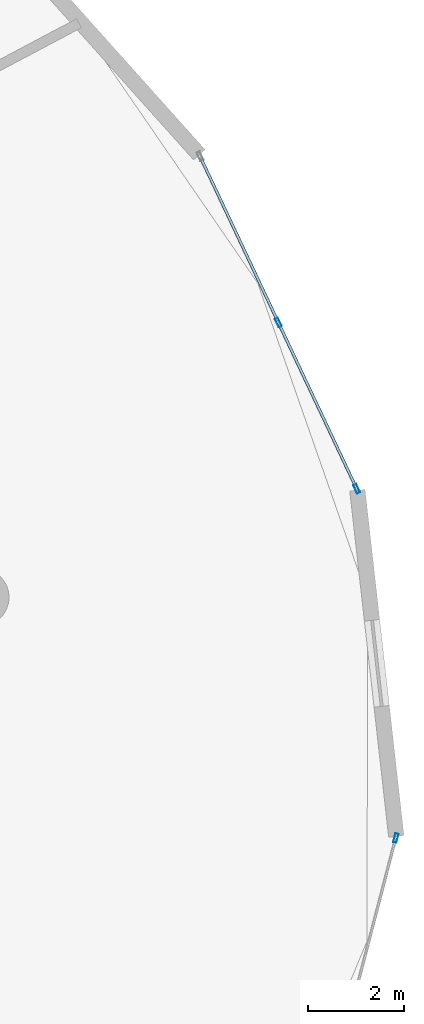
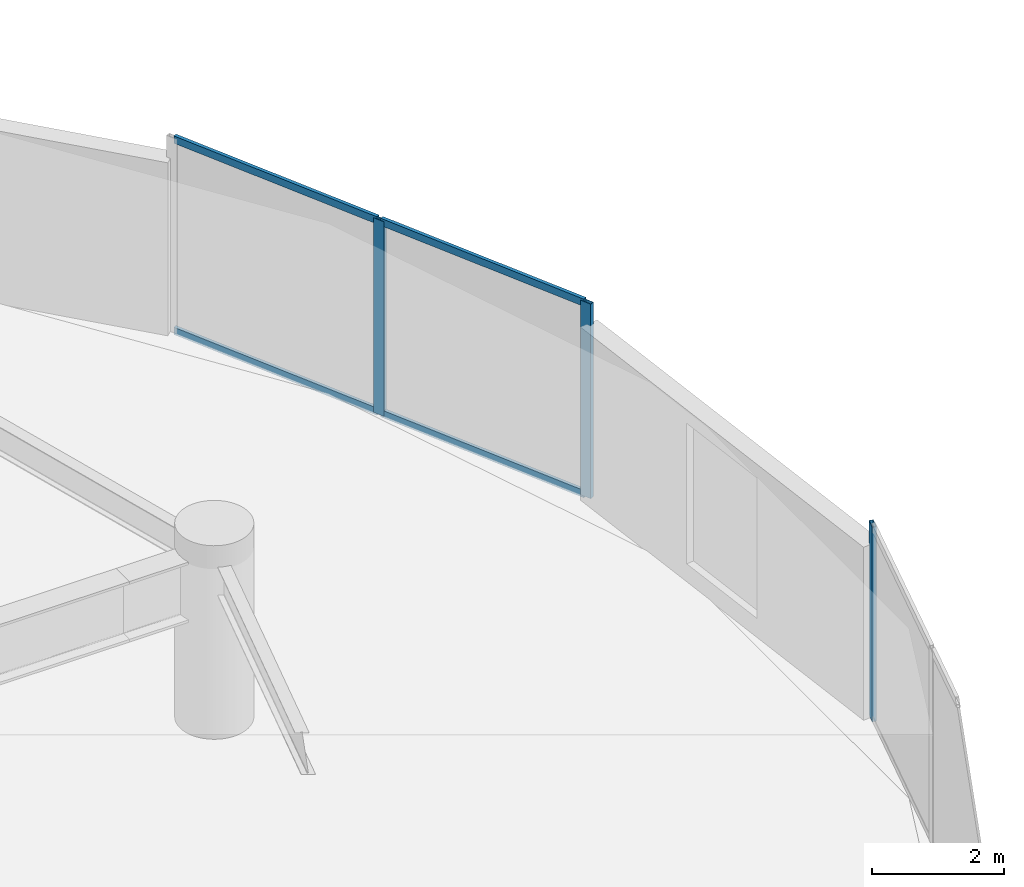
# One storey, part 11 of 24: 7 members, 2 elements without a shape of their own.
"""IFC4 building model written with IfcOpenShell, lengths in metres."""

from ifc_helpers import new_model, si_unit, direction, frame, origin, origin_2d, place, context, subcontext, project, spatial, hollow_rectangle, extrude, source, transform, mapped, material, layer, layer_set, material_profile, profile_set, type_object, element, aggregate, save


model = new_model("IFC4")

# Units and contexts
model_context = context("Model", 3, precision=1e-05, world=origin(), true_north=direction((0.0, 1.0)))
body_context = subcontext(model_context, "Body", "Model", "MODEL_VIEW")
ifc_project = project(units=[si_unit("LENGTHUNIT", "METRE"), si_unit("AREAUNIT", "SQUARE_METRE"), si_unit("VOLUMEUNIT", "CUBIC_METRE"), si_unit("PLANEANGLEUNIT", "RADIAN"), si_unit("MASSUNIT", "GRAM", prefix="KILO")], contexts=[model_context])

# Site, building, storey
site_placement = place(None, origin())
site = spatial("IfcSite", under=ifc_project, at=site_placement, CompositionType="ELEMENT")
building_placement = place(site_placement, origin())
building = spatial("IfcBuilding", under=site, at=building_placement, Name="Solvirekh Grand Hotel", CompositionType="ELEMENT")
storey_placement = place(building_placement, frame((0.0, 0.0, 89.60009765625)))
storey = spatial("IfcBuildingStorey", under=building, at=storey_placement, Name="L22", CompositionType="ELEMENT", Elevation=89.60009765625)

# Curtain wall, members
ifc_material = material(Name="Anodized Bronze Aluminium 6063-T6", Category="aluminium")
ifc_layer = layer(ifc_material, 0.18994140625)
ifc_layer_set = layer_set([ifc_layer], Name="Anodized Bronze Aluminium 6063-T6")
curtain_wall_type = type_object("IfcCurtainWallType", Name="CW_Sys2_LowZoneFlushBronzeCW", PredefinedType="NOTDEFINED", material=ifc_layer_set)
curtain_wall_1_placement = place(storey_placement, origin())
curtain_wall_1 = element("IfcCurtainWall", 1, at=curtain_wall_1_placement, inside=storey, type_object=curtain_wall_type, Name="L22 unitised bronze-glass curtain wall CW-L22-C03", PredefinedType="NOTDEFINED")
ifc_material_profile_1 = material_profile(ifc_material, hollow_rectangle(XDim=0.06005859375, YDim=0.135009765625, WallThickness=0.00390625, at=origin_2d()), Name="ALU RHS 135X60X4")
ifc_profile_set_1 = profile_set([ifc_material_profile_1], Name="Anodized Bronze Aluminium 6063-T6")
member_type_1 = type_object("IfcMemberType", Name="CWTransom_Sys2", PredefinedType="USERDEFINED", material=ifc_profile_set_1)
shared_shape_1 = source(origin(), body_context, "Body", "SweptSolid", [
    extrude(hollow_rectangle(XDim=0.06005859375, YDim=0.135009765625, WallThickness=0.00390625, at=origin_2d()), origin(), (0.0, 0.0, 1.0), 3.747314453125),
])
member_1_placement = place(storey_placement, frame((26.4072265625, 2.287353515625, 0.02978515625), z_axis=(-0.426270739463, 0.904595631582, 0.0), x_axis=(-0.904595631582, -0.426270739463, 0.0)))
member_1 = element("IfcMember", 2, at=member_1_placement, type_object=member_type_1, Name="U02 transom 1.1", ObjectType="TRANSOM", PredefinedType="USERDEFINED", context=body_context, shape_type="MappedRepresentation", body=[
    mapped(shared_shape_1, transform((0.0, 0.0, 0.0), x_axis=(1.0, 0.0, 0.0), y_axis=(0.0, 1.0, 0.0), z_axis=(0.0, 0.0, 1.0), scale=1.0)),
])
member_2_placement = place(storey_placement, frame((26.4072265625, 2.287353515625, 3.56982421875), z_axis=(-0.426270739463, 0.904595631582, 0.0), x_axis=(-0.904595631582, -0.426270739463, 0.0)))
member_2 = element("IfcMember", 3, at=member_2_placement, type_object=member_type_1, Name="U02 transom 1.2", ObjectType="TRANSOM", PredefinedType="USERDEFINED", context=body_context, shape_type="MappedRepresentation", body=[
    mapped(shared_shape_1, transform((0.0, 0.0, 0.0), x_axis=(1.0, 0.0, 0.0), y_axis=(0.0, 1.0, 0.0), z_axis=(0.0, 0.0, 1.0), scale=1.0)),
])
member_3_placement = place(storey_placement, frame((24.780029296875, 5.74072265625, 0.02978515625), z_axis=(-0.426217426151, 0.904620752385, 0.0), x_axis=(-0.904620752385, -0.426217426151, 0.0)))
member_3 = element("IfcMember", 4, at=member_3_placement, type_object=member_type_1, Name="U02 transom 2.1", ObjectType="TRANSOM", PredefinedType="USERDEFINED", context=body_context, shape_type="MappedRepresentation", body=[
    mapped(shared_shape_1, transform((0.0, 0.0, 0.0), x_axis=(1.0, 0.0, 0.0), y_axis=(0.0, 1.0, 0.0), z_axis=(0.0, 0.0, 1.0), scale=1.0)),
])
member_4_placement = place(storey_placement, frame((24.780029296875, 5.74072265625, 3.56982421875), z_axis=(-0.426217426151, 0.904620752385, 0.0), x_axis=(-0.904620752385, -0.426217426151, 0.0)))
member_4 = element("IfcMember", 5, at=member_4_placement, type_object=member_type_1, Name="U02 transom 2.2", ObjectType="TRANSOM", PredefinedType="USERDEFINED", context=body_context, shape_type="MappedRepresentation", body=[
    mapped(shared_shape_1, transform((0.0, 0.0, 0.0), x_axis=(1.0, 0.0, 0.0), y_axis=(0.0, 1.0, 0.0), z_axis=(0.0, 0.0, 1.0), scale=1.0)),
])

# Curtain wall, member
curtain_wall_2_placement = place(storey_placement, origin())
curtain_wall_2 = element("IfcCurtainWall", 6, at=curtain_wall_2_placement, inside=storey, type_object=curtain_wall_type, Name="L22 unitised bronze-glass curtain wall CW-L22-C01", PredefinedType="NOTDEFINED")
ifc_material_profile_2 = material_profile(ifc_material, hollow_rectangle(XDim=0.070068359375, YDim=0.18994140625, WallThickness=0.0048828125, at=origin_2d()), Name="ALU RHS 190X70X5")
ifc_profile_set_2 = profile_set([ifc_material_profile_2], Name="Anodized Bronze Aluminium 6063-T6")
member_type_2 = type_object("IfcMemberType", Name="CWMullion_Sys2", PredefinedType="MULLION", material=ifc_profile_set_2)
shared_shape_2 = source(origin(), body_context, "Body", "SweptSolid", [
    extrude(hollow_rectangle(XDim=0.070068359375, YDim=0.18994140625, WallThickness=0.0048828125, at=origin_2d()), origin(), (0.0, 0.0, 1.0), 3.599853515625),
])
member_5_placement = place(storey_placement, frame((27.236083984375, -4.997802734375, 0.0), z_axis=(0.0, 0.0, 1.0), x_axis=(-0.967700020826, 0.252104481701, 0.0)))
member_5 = element("IfcMember", 7, at=member_5_placement, type_object=member_type_2, Name="U02 mullion 3", PredefinedType="MULLION", context=body_context, shape_type="MappedRepresentation", body=[
    mapped(shared_shape_2, transform((0.0, 0.0, 0.0), x_axis=(1.0, 0.0, 0.0), y_axis=(0.0, 1.0, 0.0), z_axis=(0.0, 0.0, 1.0), scale=1.0)),
])
aggregate(curtain_wall_2, [member_5])

# Member
member_6_placement = place(storey_placement, frame((26.422119140625, 2.255615234375, 0.0), z_axis=(0.0, 0.0, 1.0), x_axis=(-0.904618589977, -0.426222015702, 0.0)))
member_6 = element("IfcMember", 8, at=member_6_placement, type_object=member_type_2, Name="U02 mullion 1", PredefinedType="MULLION", context=body_context, shape_type="MappedRepresentation", body=[
    mapped(shared_shape_2, transform((0.0, 0.0, 0.0), x_axis=(1.0, 0.0, 0.0), y_axis=(0.0, 1.0, 0.0), z_axis=(0.0, 0.0, 1.0), scale=1.0)),
])

member_7_placement = place(storey_placement, frame((24.794921875, 5.708984375, 0.0), z_axis=(0.0, 0.0, 1.0), x_axis=(-0.904618589977, -0.426222015702, 0.0)))
member_7 = element("IfcMember", 9, at=member_7_placement, type_object=member_type_2, Name="U02 mullion 2", PredefinedType="MULLION", context=body_context, shape_type="MappedRepresentation", body=[
    mapped(shared_shape_2, transform((0.0, 0.0, 0.0), x_axis=(1.0, 0.0, 0.0), y_axis=(0.0, 1.0, 0.0), z_axis=(0.0, 0.0, 1.0), scale=1.0)),
])

aggregate(curtain_wall_1, [member_6, member_7, member_1, member_2, member_3, member_4])

save(model, "model.ifc")
